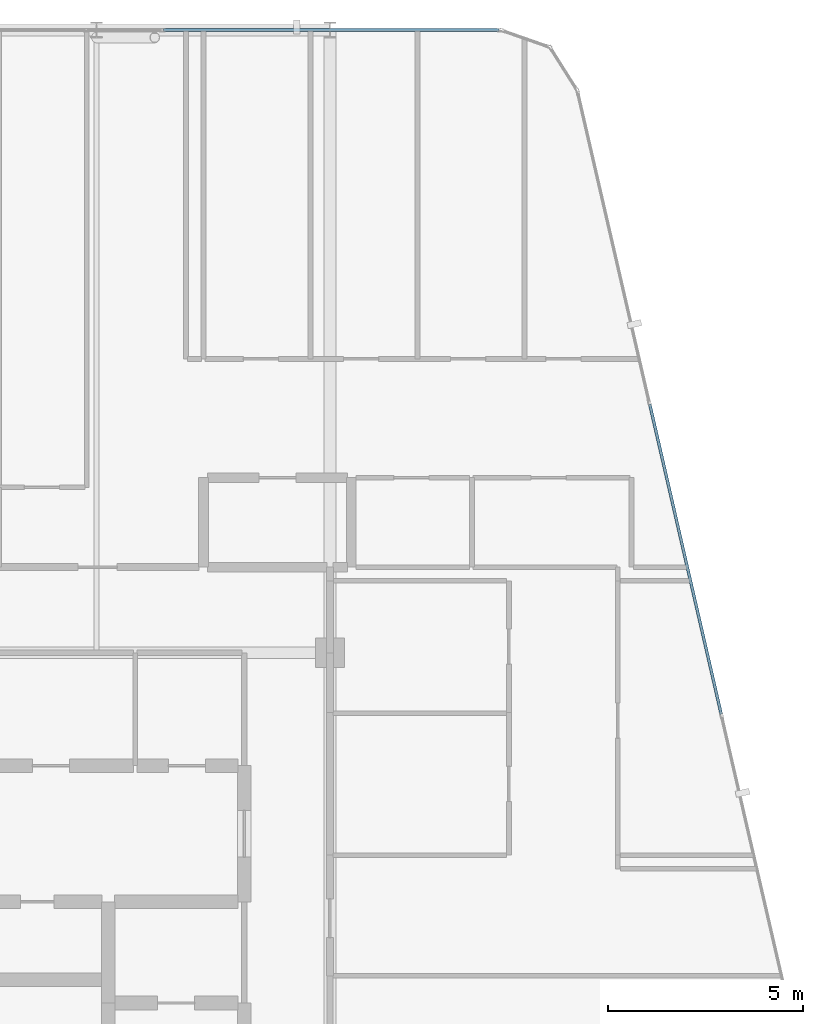
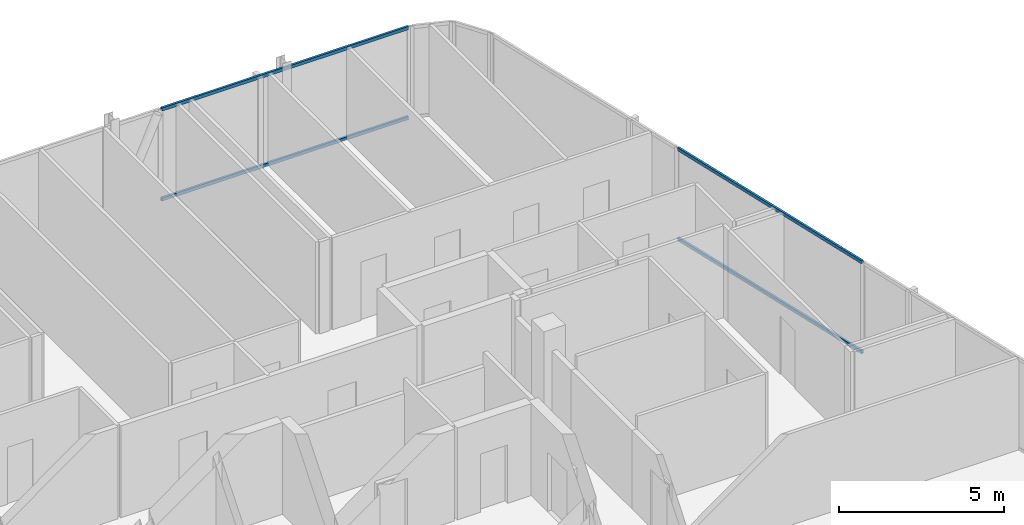
# One storey, part 18 of 28: 4 members, 2 elements without a shape of their own.
"""IFC4 building model written with IfcOpenShell, lengths in metres."""

from ifc_helpers import new_model, si_unit, direction, frame, origin, origin_2d, place, context, subcontext, project, spatial, hollow_rectangle, extrude, material, layer, layer_set, material_profile, profile_set, type_object, element, aggregate, save


model = new_model("IFC4")

# Units and contexts
model_context = context("Model", 3, precision=1e-05, world=origin(), true_north=direction((0.0, 1.0)))
body_context = subcontext(model_context, "Body", "Model", "MODEL_VIEW")
ifc_project = project(units=[si_unit("LENGTHUNIT", "METRE"), si_unit("AREAUNIT", "SQUARE_METRE"), si_unit("VOLUMEUNIT", "CUBIC_METRE"), si_unit("PLANEANGLEUNIT", "RADIAN"), si_unit("MASSUNIT", "GRAM", prefix="KILO")], contexts=[model_context])

# Site, building, storey
site_placement = place(None, origin())
site = spatial("IfcSite", under=ifc_project, at=site_placement, CompositionType="ELEMENT")
building_placement = place(site_placement, origin())
building = spatial("IfcBuilding", under=site, at=building_placement, Name="Keshet Zoharim Tower", CompositionType="ELEMENT")
storey_placement = place(building_placement, frame((0.0, 0.0, 251.0)))
storey = spatial("IfcBuildingStorey", under=building, at=storey_placement, Name="L62", CompositionType="ELEMENT", Elevation=251.0)

# Curtain wall, members
ifc_material = material(Name="Aluminium 6063-T6", Category="aluminium")
ifc_layer = layer(ifc_material, 0.260009765625)
ifc_layer_set = layer_set([ifc_layer], Name="Aluminium 6063-T6")
curtain_wall_type = type_object("IfcCurtainWallType", Name="CW-SYS-06", PredefinedType="NOTDEFINED", material=ifc_layer_set)
curtain_wall_1_placement = place(storey_placement, origin())
curtain_wall_1 = element("IfcCurtainWall", 1, at=curtain_wall_1_placement, inside=storey, type_object=curtain_wall_type, Name="L62 Unitised Curtain Wall 06 Part 5", PredefinedType="NOTDEFINED")
ifc_material_profile = material_profile(ifc_material, hollow_rectangle(XDim=0.074951171875, YDim=0.1201171875, WallThickness=0.00390625, at=origin_2d()), Name="TRN-75x120")
ifc_profile_set = profile_set([ifc_material_profile], Name="Aluminium 6063-T6")
member_type = type_object("IfcMemberType", Name="CWT-T12", PredefinedType="USERDEFINED", material=ifc_profile_set)
member_1_placement = place(storey_placement, frame((28.724853515625, 53.89990234375, 0.034912109375), z_axis=(1.0, 0.0, 0.0), x_axis=(0.0, 1.0, 0.0)))
member_1 = element("IfcMember", 2, at=member_1_placement, type_object=member_type, Name="CW-06 transom 1.1", ObjectType="TRANSOM", PredefinedType="USERDEFINED", context=body_context, shape_type="SweptSolid", body=[
    extrude(hollow_rectangle(XDim=0.074951171875, YDim=0.1201171875, WallThickness=0.00390625, at=origin_2d()), origin(), (0.0, 0.0, 1.0), 8.6142578125),
])
member_2_placement = place(storey_placement, frame((28.724853515625, 53.89990234375, 3.35498046875), z_axis=(1.0, 0.0, 0.0), x_axis=(0.0, 1.0, 0.0)))
member_2 = element("IfcMember", 3, at=member_2_placement, type_object=member_type, Name="CW-06 transom 1.2", ObjectType="TRANSOM", PredefinedType="USERDEFINED", context=body_context, shape_type="SweptSolid", body=[
    extrude(hollow_rectangle(XDim=0.074951171875, YDim=0.1201171875, WallThickness=0.00390625, at=origin_2d()), origin(), (0.0, 0.0, 1.0), 8.6142578125),
])
aggregate(curtain_wall_1, [member_1, member_2])

curtain_wall_2_placement = place(storey_placement, origin())
curtain_wall_2 = element("IfcCurtainWall", 4, at=curtain_wall_2_placement, inside=storey, type_object=curtain_wall_type, Name="L62 Unitised Curtain Wall 09", PredefinedType="NOTDEFINED")
member_3_placement = place(storey_placement, frame((41.218505859375, 44.28662109375, 0.034912109375), z_axis=(0.224826771459, -0.974398749402, 0.0), x_axis=(0.974398749402, 0.224826771459, 0.0)))
member_3 = element("IfcMember", 5, at=member_3_placement, type_object=member_type, Name="CW-06 transom 2.1", ObjectType="TRANSOM", PredefinedType="USERDEFINED", context=body_context, shape_type="SweptSolid", body=[
    extrude(hollow_rectangle(XDim=0.074951171875, YDim=0.1201171875, WallThickness=0.00390625, at=origin_2d()), origin(), (0.0, 0.0, 1.0), 8.17041015625),
])
member_4_placement = place(storey_placement, frame((41.218505859375, 44.28662109375, 3.35498046875), z_axis=(0.224826771459, -0.974398749402, 0.0), x_axis=(0.974398749402, 0.224826771459, 0.0)))
member_4 = element("IfcMember", 6, at=member_4_placement, type_object=member_type, Name="CW-06 transom 2.2", ObjectType="TRANSOM", PredefinedType="USERDEFINED", context=body_context, shape_type="SweptSolid", body=[
    extrude(hollow_rectangle(XDim=0.074951171875, YDim=0.1201171875, WallThickness=0.00390625, at=origin_2d()), origin(), (0.0, 0.0, 1.0), 8.17041015625),
])
aggregate(curtain_wall_2, [member_3, member_4])

save(model, "model.ifc")
